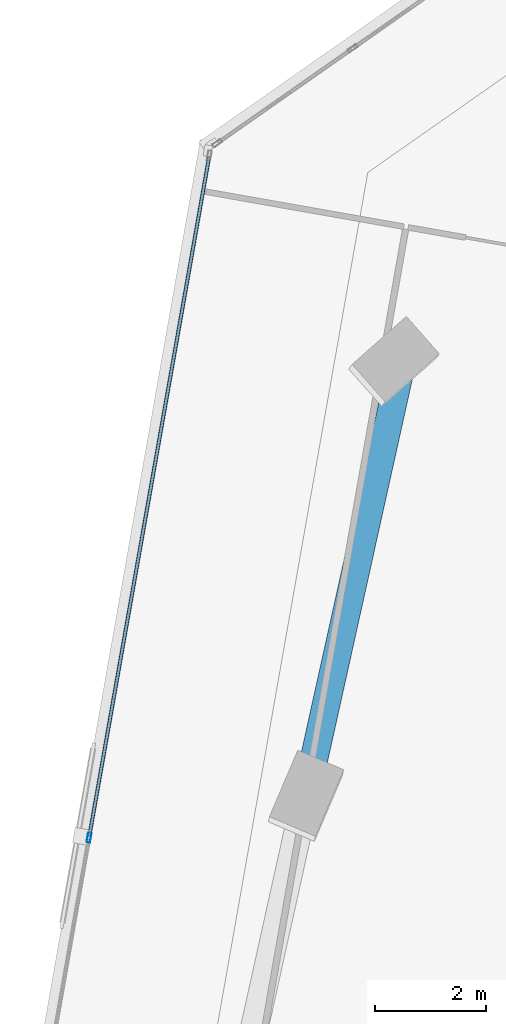
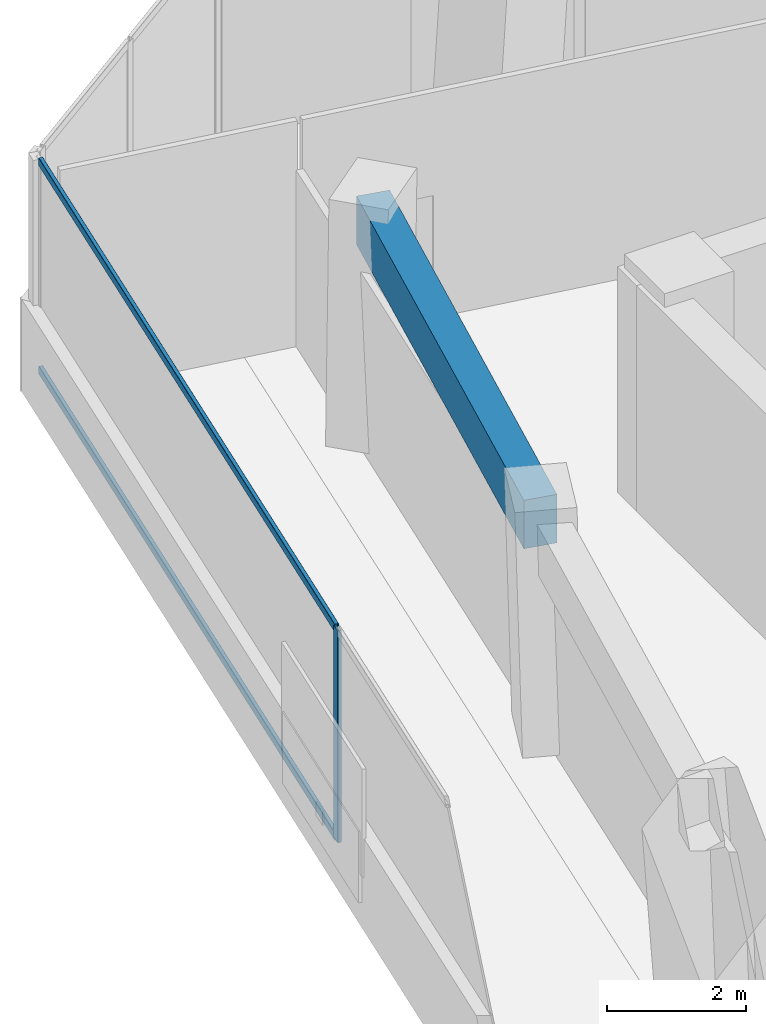
# One storey, part 6 of 24: 3 members, 1 beam, 1 element without a shape of its own.
"""IFC4 building model written with IfcOpenShell, lengths in metres."""

from ifc_helpers import new_model, si_unit, direction, frame, origin, origin_2d, place, context, subcontext, project, spatial, rectangle, hollow_rectangle, extrude, source, transform, mapped, material, material_profile, profile_set, type_object, element, aggregate, save


model = new_model("IFC4")

# Units and contexts
model_context = context("Model", 3, precision=1e-05, world=origin(), true_north=direction((0.0, 1.0)))
body_context = subcontext(model_context, "Body", "Model", "MODEL_VIEW")
ifc_project = project(units=[si_unit("LENGTHUNIT", "METRE"), si_unit("AREAUNIT", "SQUARE_METRE"), si_unit("VOLUMEUNIT", "CUBIC_METRE"), si_unit("PLANEANGLEUNIT", "RADIAN"), si_unit("MASSUNIT", "GRAM", prefix="KILO")], contexts=[model_context])

# Site, building, storey
site_placement = place(None, origin())
site = spatial("IfcSite", under=ifc_project, at=site_placement, CompositionType="ELEMENT")
building_placement = place(site_placement, origin())
building = spatial("IfcBuilding", under=site, at=building_placement, Name="Torre Montelarca", CompositionType="ELEMENT")
storey_placement = place(building_placement, frame((0.0, 0.0, 83.199951171875)))
storey = spatial("IfcBuildingStorey", under=building, at=storey_placement, Name="L18", CompositionType="ELEMENT", Elevation=83.199951171875)

# Beam
ifc_material_1 = material(Name="Concrete C55/67", Category="concrete")
ifc_material_profile_1 = material_profile(ifc_material_1, rectangle(XDim=0.5, YDim=0.85009765625, at=origin_2d()), Name="RCB500X850", Category="concrete")
ifc_profile_set_1 = profile_set([ifc_material_profile_1], Name="Concrete C55/67")
beam_type = type_object("IfcBeamType", Name="BM-SP-RC850-EXT", PredefinedType="SPANDREL", material=ifc_profile_set_1)
shared_shape_1 = source(origin(), body_context, "Body", "SweptSolid", [
    extrude(rectangle(XDim=0.5, YDim=0.85009765625, at=origin_2d()), origin(), (0.0, 0.0, 1.0), 8.000244140625),
])
beam_placement = place(storey_placement, frame((5.04931640625, 35.64697265625, 3.53515625), z_axis=(0.216455447594, 0.976292496748, 0.0), x_axis=(-0.976292496748, 0.216455447594, 0.0)))
element("IfcBeam", 1, at=beam_placement, inside=storey, type_object=beam_type, Name="L18 Grid Girder Y 32.0-40.0 at X=4.7", PredefinedType="SPANDREL", context=body_context, shape_type="MappedRepresentation", body=[
    mapped(shared_shape_1, transform((0.0, 0.0, 0.0), scale=1.0)),
])

# Curtain wall, members
ifc_material_2 = material(Name="Insulated low-E laminated glass", Category="glass")
curtain_wall_type = type_object("IfcCurtainWallType", Name="CW-SYS-Z1", PredefinedType="USERDEFINED", material=ifc_material_2)
curtain_wall_placement = place(storey_placement, origin())
curtain_wall = element("IfcCurtainWall", 2, at=curtain_wall_placement, inside=storey, type_object=curtain_wall_type, Name="L18 Curtain Wall Run CW-T3-L18-E10-B1", ObjectType="UNITISED GLAZING", PredefinedType="USERDEFINED")
ifc_material_3 = material(Name="Anodised aluminium AA 6063-T6", Category="aluminium")
ifc_material_profile_2 = material_profile(ifc_material_3, hollow_rectangle(XDim=0.06494140625, YDim=0.139892578125, WallThickness=0.00390625, InnerFilletRadius=0.00390625, OuterFilletRadius=0.008056640625, at=origin_2d()), Name="ALU65X140X4", Category="aluminium")
ifc_profile_set_2 = profile_set([ifc_material_profile_2], Name="Anodised aluminium AA 6063-T6")
member_type_1 = type_object("IfcMemberType", Name="CWT-ALU140", PredefinedType="USERDEFINED", material=ifc_profile_set_2)
shared_shape_2 = source(origin(), body_context, "Body", "SweptSolid", [
    extrude(hollow_rectangle(XDim=0.06494140625, YDim=0.139892578125, WallThickness=0.00390625, InnerFilletRadius=0.00390625, OuterFilletRadius=0.008056640625, at=origin_2d()), origin(), (0.0, 0.0, 1.0), 12.436767578125),
])
member_1_placement = place(storey_placement, frame((3.234130859375, 46.866943359375, 0.032470703125), z_axis=(-0.173652068379, -0.984807066967, 0.0), x_axis=(0.984807066967, -0.173652068379, 0.0)))
member_1 = element("IfcMember", 3, at=member_1_placement, type_object=member_type_1, Name="CW transom 1.1", ObjectType="TRANSOM", PredefinedType="USERDEFINED", context=body_context, shape_type="MappedRepresentation", body=[
    mapped(shared_shape_2, transform((0.0, 0.0, 0.0), scale=1.0)),
])
member_2_placement = place(storey_placement, frame((3.234130859375, 46.866943359375, 3.6875), z_axis=(-0.173652068379, -0.984807066967, 0.0), x_axis=(0.984807066967, -0.173652068379, 0.0)))
member_2 = element("IfcMember", 4, at=member_2_placement, type_object=member_type_1, Name="CW transom 1.2", ObjectType="TRANSOM", PredefinedType="USERDEFINED", context=body_context, shape_type="MappedRepresentation", body=[
    mapped(shared_shape_2, transform((0.0, 0.0, 0.0), scale=1.0)),
])
ifc_material_profile_3 = material_profile(ifc_material_3, hollow_rectangle(XDim=0.06494140625, YDim=0.179931640625, WallThickness=0.00390625, InnerFilletRadius=0.00390625, OuterFilletRadius=0.008056640625, at=origin_2d()), Name="ALU65X180X4", Category="aluminium")
ifc_profile_set_3 = profile_set([ifc_material_profile_3], Name="Anodised aluminium AA 6063-T6")
member_type_2 = type_object("IfcMemberType", Name="CWM-ALU180", PredefinedType="MULLION", material=ifc_profile_set_3)
shared_shape_3 = source(origin(), body_context, "Body", "SweptSolid", [
    extrude(hollow_rectangle(XDim=0.06494140625, YDim=0.179931640625, WallThickness=0.00390625, InnerFilletRadius=0.00390625, OuterFilletRadius=0.008056640625, at=origin_2d()), origin(), (0.0, 0.0, 1.0), 3.719970703125),
])
member_3_placement = place(storey_placement, frame((1.06884765625, 34.587158203125, 0.0), z_axis=(0.0, 0.0, 1.0), x_axis=(0.984808126187, -0.173646061274, 0.0)))
member_3 = element("IfcMember", 5, at=member_3_placement, type_object=member_type_2, Name="CW mullion 2", PredefinedType="MULLION", context=body_context, shape_type="MappedRepresentation", body=[
    mapped(shared_shape_3, transform((0.0, 0.0, 0.0), scale=1.0)),
])
aggregate(curtain_wall, [member_3, member_1, member_2])

save(model, "model.ifc")
